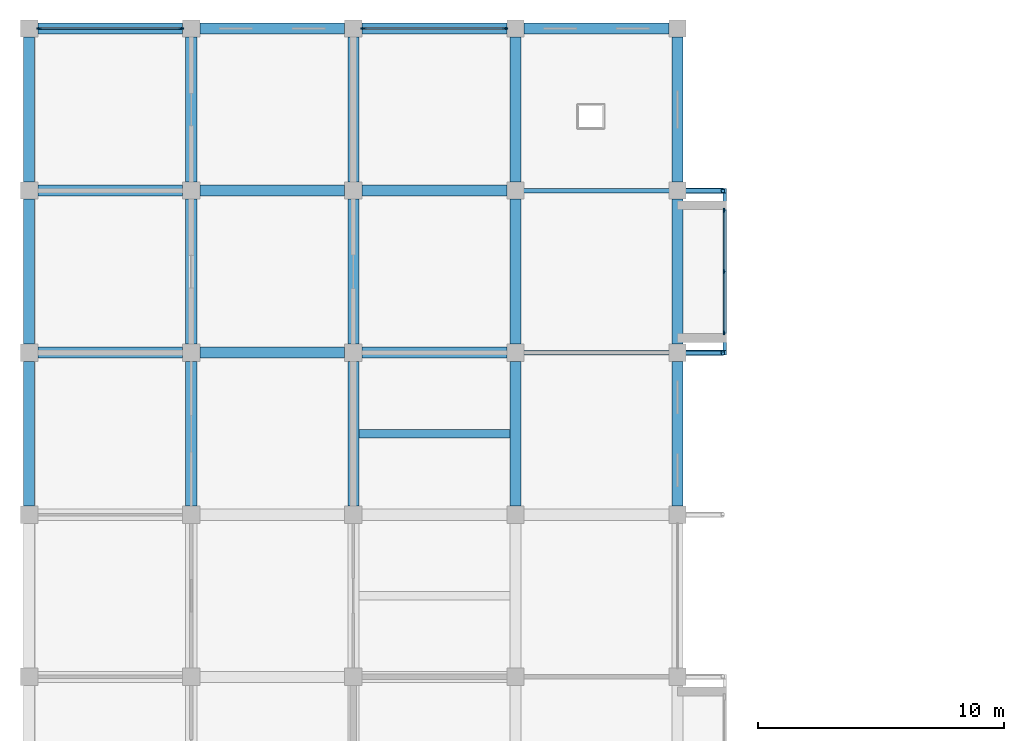
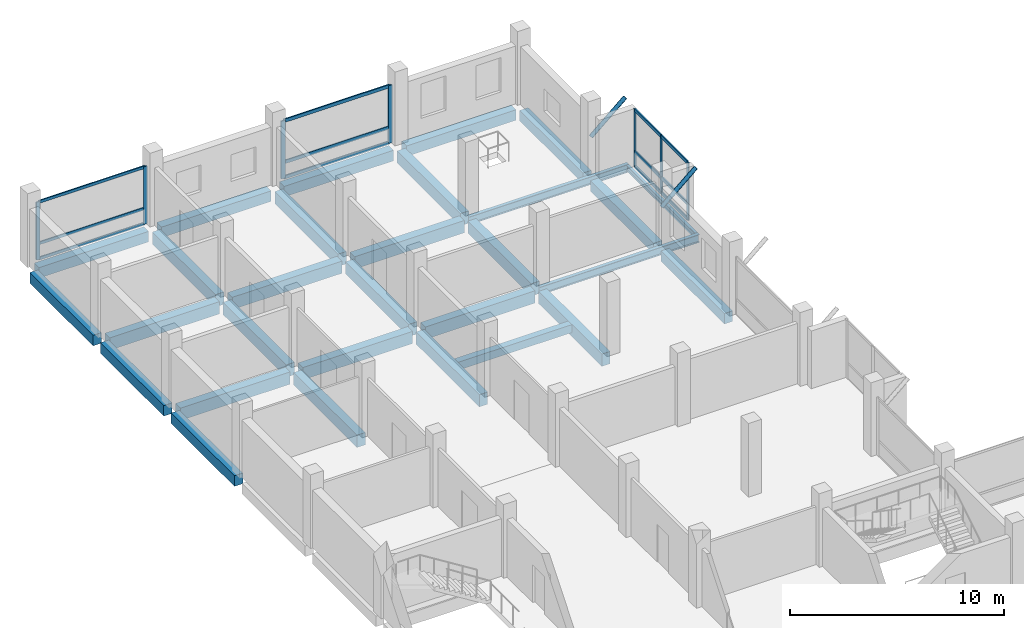
# One storey, part 5 of 11: 29 beams, 21 members, 3 elements without a shape of their own.
"""IFC4 building model written with IfcOpenShell, lengths in metres."""

from ifc_helpers import new_model, si_unit, direction, frame, origin, origin_2d, place, context, subcontext, project, spatial, rectangle, hollow_circle, i_section, extrude, material, material_profile, profile_set, type_object, element, aggregate, save


model = new_model("IFC4")

# Units and contexts
model_context = context("Model", 3, precision=1e-05, world=origin(), true_north=direction((0.0, 1.0)))
body_context = subcontext(model_context, "Body", "Model", "MODEL_VIEW")
ifc_project = project(units=[si_unit("LENGTHUNIT", "METRE"), si_unit("AREAUNIT", "SQUARE_METRE"), si_unit("VOLUMEUNIT", "CUBIC_METRE"), si_unit("PLANEANGLEUNIT", "RADIAN"), si_unit("MASSUNIT", "GRAM", prefix="KILO")], contexts=[model_context])

# Site, building, storey
site_placement = place(None, origin())
site = spatial("IfcSite", under=ifc_project, at=site_placement, CompositionType="ELEMENT")
building_placement = place(site_placement, origin())
building = spatial("IfcBuilding", under=site, at=building_placement, Name="Rusizi Kubbe Research Institute", CompositionType="ELEMENT")
storey_placement = place(building_placement, frame((0.0, 0.0, 39.60009765625)))
storey = spatial("IfcBuildingStorey", under=building, at=storey_placement, Name="L09", CompositionType="ELEMENT", Elevation=39.60009765625)

# Beams
ifc_material_1 = material(Name="Steel S355", Category="steel")
ifc_material_profile_1 = material_profile(ifc_material_1, i_section(OverallWidth=0.14990234375, OverallDepth=0.300048828125, WebThickness=0.007080078125, FlangeThickness=0.0107421875, at=origin_2d()), Name="IPE 300")
ifc_profile_set_1 = profile_set([ifc_material_profile_1], Name="Steel S355")
beam_type_1 = type_object("IfcBeamType", Name="BM-IPE300", PredefinedType="BEAM", material=ifc_profile_set_1)
beam_1_placement = place(storey_placement, frame((28.324951171875, 52.89501953125, -0.47021484375), z_axis=(0.0, 1.0, 0.0), x_axis=(-1.0, 0.0, 0.0)))
element("IfcBeam", 1, at=beam_1_placement, inside=storey, type_object=beam_type_1, Name="Cumba Edge Tie Beam L09-2", PredefinedType="BEAM", context=body_context, shape_type="SweptSolid", body=[
    extrude(i_section(OverallWidth=0.14990234375, OverallDepth=0.300048828125, WebThickness=0.007080078125, FlangeThickness=0.0107421875, at=origin_2d()), origin(), (0.0, 0.0, 1.0), 6.409912109375),
])
ifc_material_2 = material(Name="Steel S355", Category="steel")
ifc_material_profile_2 = material_profile(ifc_material_2, i_section(OverallWidth=0.18994140625, OverallDepth=0.449951171875, WebThickness=0.009521484375, FlangeThickness=0.0146484375, at=origin_2d()), Name="IPE 450")
ifc_profile_set_2 = profile_set([ifc_material_profile_2], Name="Steel S355")
beam_type_2 = type_object("IfcBeamType", Name="BM-IPE450", PredefinedType="BEAM", material=ifc_profile_set_2)
for number, where, z_axis, x_axis, name in (
    (2, (19.800048828125, 52.800048828125, -0.545166015625), (1.0, 0.0, 0.0), (0.0, 1.0, 0.0), "Cumba Back-Spanned Cantilever Beam L09-2S"),
    (3, (19.800048828125, 59.39990234375, -0.545166015625), (1.0, 0.0, 0.0), (0.0, 1.0, 0.0), "Cumba Back-Spanned Cantilever Beam L09-2N"),
):
    element("IfcBeam", number, at=place(storey_placement, frame(where, z_axis=z_axis, x_axis=x_axis)), inside=storey, type_object=beam_type_2, Name=name, PredefinedType="BEAM", context=body_context, shape_type="SweptSolid", body=[
        extrude(i_section(OverallWidth=0.18994140625, OverallDepth=0.449951171875, WebThickness=0.009521484375, FlangeThickness=0.0146484375, at=origin_2d()), origin(), (0.0, 0.0, 1.0), 8.599853515625),
    ])
ifc_material_3 = material(Name="Concrete C40/50", Category="concrete")
ifc_material_profile_3 = material_profile(ifc_material_3, rectangle(XDim=0.35009765625, YDim=0.449951171875, at=origin_2d()), Name="RC350x450")
ifc_profile_set_3 = profile_set([ifc_material_profile_3], Name="Concrete C40/50")
beam_type_3 = type_object("IfcBeamType", Name="BM-RC350x450", PredefinedType="JOIST", material=ifc_profile_set_3)
beam_2_placement = place(storey_placement, frame((13.425048828125, 49.5, -0.545166015625), z_axis=(1.0, 0.0, 0.0), x_axis=(0.0, 1.0, 0.0)))
element("IfcBeam", 4, at=beam_2_placement, inside=storey, type_object=beam_type_3, Name="Lab Stiffener Joist L09 (2,7)", PredefinedType="JOIST", context=body_context, shape_type="SweptSolid", body=[
    extrude(rectangle(XDim=0.35009765625, YDim=0.449951171875, at=origin_2d()), origin(), (0.0, 0.0, 1.0), 6.14990234375),
])
ifc_material_4 = material(Name="Concrete C40/50", Category="concrete")
ifc_material_profile_4 = material_profile(ifc_material_4, rectangle(XDim=0.449951171875, YDim=0.60009765625, at=origin_2d()), Name="RC450x600")
ifc_profile_set_4 = profile_set([ifc_material_profile_4], Name="Concrete C40/50")
beam_type_4 = type_object("IfcBeamType", Name="BM-RC450x600", PredefinedType="SPANDREL", material=ifc_profile_set_4)
beam_3_placement = place(storey_placement, frame((0.35009765625, 66.0, -0.6201171875), z_axis=(1.0, 0.0, 0.0), x_axis=(0.0, 1.0, 0.0)))
element("IfcBeam", 5, at=beam_3_placement, inside=storey, type_object=beam_type_4, Name="Grid Beam H L09 (0,10)", PredefinedType="SPANDREL", context=body_context, shape_type="SweptSolid", body=[
    extrude(rectangle(XDim=0.449951171875, YDim=0.60009765625, at=origin_2d()), origin(), (0.0, 0.0, 1.0), 5.89990234375),
])
beam_4_placement = place(storey_placement, frame((6.949951171875, 66.0, -0.6201171875), z_axis=(1.0, 0.0, 0.0), x_axis=(0.0, 1.0, 0.0)))
element("IfcBeam", 6, at=beam_4_placement, inside=storey, type_object=beam_type_4, Name="Grid Beam H L09 (1,10)", PredefinedType="SPANDREL", context=body_context, shape_type="SweptSolid", body=[
    extrude(rectangle(XDim=0.449951171875, YDim=0.60009765625, at=origin_2d()), origin(), (0.0, 0.0, 1.0), 5.900146484375),
])
beam_5_placement = place(storey_placement, frame((13.550048828125, 66.0, -0.6201171875), z_axis=(1.0, 0.0, 0.0), x_axis=(0.0, 1.0, 0.0)))
element("IfcBeam", 7, at=beam_5_placement, inside=storey, type_object=beam_type_4, Name="Grid Beam H L09 (2,10)", PredefinedType="SPANDREL", context=body_context, shape_type="SweptSolid", body=[
    extrude(rectangle(XDim=0.449951171875, YDim=0.60009765625, at=origin_2d()), origin(), (0.0, 0.0, 1.0), 5.89990234375),
])
beam_6_placement = place(storey_placement, frame((20.14990234375, 66.0, -0.6201171875), z_axis=(1.0, 0.0, 0.0), x_axis=(0.0, 1.0, 0.0)))
element("IfcBeam", 8, at=beam_6_placement, inside=storey, type_object=beam_type_4, Name="Grid Beam H L09 (3,10)", PredefinedType="SPANDREL", context=body_context, shape_type="SweptSolid", body=[
    extrude(rectangle(XDim=0.449951171875, YDim=0.60009765625, at=origin_2d()), origin(), (0.0, 0.0, 1.0), 5.900146484375),
])
beam_7_placement = place(storey_placement, frame((0.0, 46.550048828125, -0.6201171875), z_axis=(0.0, 1.0, 0.0), x_axis=(-1.0, 0.0, 0.0)))
element("IfcBeam", 9, at=beam_7_placement, inside=storey, type_object=beam_type_4, Name="Grid Beam V L09 (0,7)", PredefinedType="SPANDREL", context=body_context, shape_type="SweptSolid", body=[
    extrude(rectangle(XDim=0.449951171875, YDim=0.60009765625, at=origin_2d()), origin(), (0.0, 0.0, 1.0), 5.89990234375),
])
beam_8_placement = place(storey_placement, frame((0.0, 53.14990234375, -0.6201171875), z_axis=(0.0, 1.0, 0.0), x_axis=(-1.0, 0.0, 0.0)))
element("IfcBeam", 10, at=beam_8_placement, inside=storey, type_object=beam_type_4, Name="Grid Beam V L09 (0,8)", PredefinedType="SPANDREL", context=body_context, shape_type="SweptSolid", body=[
    extrude(rectangle(XDim=0.449951171875, YDim=0.60009765625, at=origin_2d()), origin(), (0.0, 0.0, 1.0), 5.900146484375),
])
for number, where, z_axis, x_axis, name in (
    (11, (0.0, 59.75, -0.6201171875), (0.0, 1.0, 0.0), (-1.0, 0.0, 0.0), "Grid Beam V L09 (0,9)"),
    (12, (26.39990234375, 46.550048828125, -0.6201171875), (0.0, 1.0, 0.0), (-1.0, 0.0, 0.0), "Grid Beam V L09 (4,7)"),
):
    element("IfcBeam", number, at=place(storey_placement, frame(where, z_axis=z_axis, x_axis=x_axis)), inside=storey, type_object=beam_type_4, Name=name, PredefinedType="SPANDREL", context=body_context, shape_type="SweptSolid", body=[
        extrude(rectangle(XDim=0.449951171875, YDim=0.60009765625, at=origin_2d()), origin(), (0.0, 0.0, 1.0), 5.89990234375),
    ])
beam_9_placement = place(storey_placement, frame((26.39990234375, 53.14990234375, -0.6201171875), z_axis=(0.0, 1.0, 0.0), x_axis=(-1.0, 0.0, 0.0)))
element("IfcBeam", 13, at=beam_9_placement, inside=storey, type_object=beam_type_4, Name="Grid Beam V L09 (4,8)", PredefinedType="SPANDREL", context=body_context, shape_type="SweptSolid", body=[
    extrude(rectangle(XDim=0.449951171875, YDim=0.60009765625, at=origin_2d()), origin(), (0.0, 0.0, 1.0), 5.900146484375),
])
beam_10_placement = place(storey_placement, frame((26.39990234375, 59.75, -0.6201171875), z_axis=(0.0, 1.0, 0.0), x_axis=(-1.0, 0.0, 0.0)))
element("IfcBeam", 14, at=beam_10_placement, inside=storey, type_object=beam_type_4, Name="Grid Beam V L09 (4,9)", PredefinedType="SPANDREL", context=body_context, shape_type="SweptSolid", body=[
    extrude(rectangle(XDim=0.449951171875, YDim=0.60009765625, at=origin_2d()), origin(), (0.0, 0.0, 1.0), 5.89990234375),
])
ifc_material_5 = material(Name="Concrete C40/50", Category="concrete")
ifc_material_profile_5 = material_profile(ifc_material_5, rectangle(XDim=0.449951171875, YDim=0.699951171875, at=origin_2d()), Name="RC450x700B")
ifc_profile_set_5 = profile_set([ifc_material_profile_5], Name="Concrete C40/50")
beam_type_5 = type_object("IfcBeamType", Name="BM-RC450x700", PredefinedType="BEAM", material=ifc_profile_set_5)
for number, where, z_axis, x_axis, name in (
    (15, (0.35009765625, 52.800048828125, -0.670166015625), (1.0, 0.0, 0.0), (0.0, 1.0, 0.0), "Grid Beam H L09 (0,8)"),
    (16, (0.35009765625, 59.39990234375, -0.670166015625), (1.0, 0.0, 0.0), (0.0, 1.0, 0.0), "Grid Beam H L09 (0,9)"),
):
    element("IfcBeam", number, at=place(storey_placement, frame(where, z_axis=z_axis, x_axis=x_axis)), inside=storey, type_object=beam_type_5, Name=name, PredefinedType="BEAM", context=body_context, shape_type="SweptSolid", body=[
        extrude(rectangle(XDim=0.449951171875, YDim=0.699951171875, at=origin_2d()), origin(), (0.0, 0.0, 1.0), 5.89990234375),
    ])
for number, where, z_axis, x_axis, name in (
    (17, (6.949951171875, 52.800048828125, -0.670166015625), (1.0, 0.0, 0.0), (0.0, 1.0, 0.0), "Grid Beam H L09 (1,8)"),
    (18, (6.949951171875, 59.39990234375, -0.670166015625), (1.0, 0.0, 0.0), (0.0, 1.0, 0.0), "Grid Beam H L09 (1,9)"),
):
    element("IfcBeam", number, at=place(storey_placement, frame(where, z_axis=z_axis, x_axis=x_axis)), inside=storey, type_object=beam_type_5, Name=name, PredefinedType="BEAM", context=body_context, shape_type="SweptSolid", body=[
        extrude(rectangle(XDim=0.449951171875, YDim=0.699951171875, at=origin_2d()), origin(), (0.0, 0.0, 1.0), 5.900146484375),
    ])
for number, where, z_axis, x_axis, name in (
    (19, (13.550048828125, 52.800048828125, -0.670166015625), (1.0, 0.0, 0.0), (0.0, 1.0, 0.0), "Grid Beam H L09 (2,8)"),
    (20, (13.550048828125, 59.39990234375, -0.670166015625), (1.0, 0.0, 0.0), (0.0, 1.0, 0.0), "Grid Beam H L09 (2,9)"),
    (21, (6.60009765625, 46.550048828125, -0.670166015625), (0.0, 1.0, 0.0), (-1.0, 0.0, 0.0), "Grid Beam V L09 (1,7)"),
):
    element("IfcBeam", number, at=place(storey_placement, frame(where, z_axis=z_axis, x_axis=x_axis)), inside=storey, type_object=beam_type_5, Name=name, PredefinedType="BEAM", context=body_context, shape_type="SweptSolid", body=[
        extrude(rectangle(XDim=0.449951171875, YDim=0.699951171875, at=origin_2d()), origin(), (0.0, 0.0, 1.0), 5.89990234375),
    ])
beam_11_placement = place(storey_placement, frame((6.60009765625, 53.14990234375, -0.670166015625), z_axis=(0.0, 1.0, 0.0), x_axis=(-1.0, 0.0, 0.0)))
element("IfcBeam", 22, at=beam_11_placement, inside=storey, type_object=beam_type_5, Name="Grid Beam V L09 (1,8)", PredefinedType="BEAM", context=body_context, shape_type="SweptSolid", body=[
    extrude(rectangle(XDim=0.449951171875, YDim=0.699951171875, at=origin_2d()), origin(), (0.0, 0.0, 1.0), 5.900146484375),
])
for number, where, z_axis, x_axis, name in (
    (23, (6.60009765625, 59.75, -0.670166015625), (0.0, 1.0, 0.0), (-1.0, 0.0, 0.0), "Grid Beam V L09 (1,9)"),
    (24, (13.199951171875, 46.550048828125, -0.670166015625), (0.0, 1.0, 0.0), (-1.0, 0.0, 0.0), "Grid Beam V L09 (2,7)"),
):
    element("IfcBeam", number, at=place(storey_placement, frame(where, z_axis=z_axis, x_axis=x_axis)), inside=storey, type_object=beam_type_5, Name=name, PredefinedType="BEAM", context=body_context, shape_type="SweptSolid", body=[
        extrude(rectangle(XDim=0.449951171875, YDim=0.699951171875, at=origin_2d()), origin(), (0.0, 0.0, 1.0), 5.89990234375),
    ])
beam_12_placement = place(storey_placement, frame((13.199951171875, 53.14990234375, -0.670166015625), z_axis=(0.0, 1.0, 0.0), x_axis=(-1.0, 0.0, 0.0)))
element("IfcBeam", 25, at=beam_12_placement, inside=storey, type_object=beam_type_5, Name="Grid Beam V L09 (2,8)", PredefinedType="BEAM", context=body_context, shape_type="SweptSolid", body=[
    extrude(rectangle(XDim=0.449951171875, YDim=0.699951171875, at=origin_2d()), origin(), (0.0, 0.0, 1.0), 5.900146484375),
])
for number, where, z_axis, x_axis, name in (
    (26, (13.199951171875, 59.75, -0.670166015625), (0.0, 1.0, 0.0), (-1.0, 0.0, 0.0), "Grid Beam V L09 (2,9)"),
    (27, (19.800048828125, 46.550048828125, -0.670166015625), (0.0, 1.0, 0.0), (-1.0, 0.0, 0.0), "Grid Beam V L09 (3,7)"),
):
    element("IfcBeam", number, at=place(storey_placement, frame(where, z_axis=z_axis, x_axis=x_axis)), inside=storey, type_object=beam_type_5, Name=name, PredefinedType="BEAM", context=body_context, shape_type="SweptSolid", body=[
        extrude(rectangle(XDim=0.449951171875, YDim=0.699951171875, at=origin_2d()), origin(), (0.0, 0.0, 1.0), 5.89990234375),
    ])
beam_13_placement = place(storey_placement, frame((19.800048828125, 53.14990234375, -0.670166015625), z_axis=(0.0, 1.0, 0.0), x_axis=(-1.0, 0.0, 0.0)))
element("IfcBeam", 28, at=beam_13_placement, inside=storey, type_object=beam_type_5, Name="Grid Beam V L09 (3,8)", PredefinedType="BEAM", context=body_context, shape_type="SweptSolid", body=[
    extrude(rectangle(XDim=0.449951171875, YDim=0.699951171875, at=origin_2d()), origin(), (0.0, 0.0, 1.0), 5.900146484375),
])
beam_14_placement = place(storey_placement, frame((19.800048828125, 59.75, -0.670166015625), z_axis=(0.0, 1.0, 0.0), x_axis=(-1.0, 0.0, 0.0)))
element("IfcBeam", 29, at=beam_14_placement, inside=storey, type_object=beam_type_5, Name="Grid Beam V L09 (3,9)", PredefinedType="BEAM", context=body_context, shape_type="SweptSolid", body=[
    extrude(rectangle(XDim=0.449951171875, YDim=0.699951171875, at=origin_2d()), origin(), (0.0, 0.0, 1.0), 5.89990234375),
])

# Members
ifc_material_6 = material(Name="Steel S355", Category="steel")
ifc_material_profile_6 = material_profile(ifc_material_6, hollow_circle(Radius=0.109619140625, WallThickness=0.008056640625, at=origin_2d()), Name="CHS 219.1x8.0")
ifc_profile_set_6 = profile_set([ifc_material_profile_6], Name="Steel S355")
member_type_1 = type_object("IfcMemberType", Name="MB-CHS219", PredefinedType="BRACE", material=ifc_profile_set_6)
for number, where, z_axis, x_axis, name in (
    (30, (26.39990234375, 52.800048828125, 1.889892578125), (0.756360503059, 0.0, 0.654155019405), (0.0, 1.0, 0.0), "Cumba Diagonal Corbel Brace L10-2N"),
    (31, (26.39990234375, 59.39990234375, 1.889892578125), (0.756360503059, 0.0, 0.654155019405), (0.0, 1.0, 0.0), "Cumba Diagonal Corbel Brace L10-3N"),
):
    element("IfcMember", number, at=place(storey_placement, frame(where, z_axis=z_axis, x_axis=x_axis)), inside=storey, type_object=member_type_1, Name=name, PredefinedType="BRACE", context=body_context, shape_type="SweptSolid", body=[
        extrude(hollow_circle(Radius=0.109619140625, WallThickness=0.008056640625, at=origin_2d()), origin(), (0.0, 0.0, 1.0), 2.446044921875),
    ])

# Curtain wall, members
ifc_material_7 = material(Name="Thermally Broken Aluminium and Low-E Glazing", Category="aluminium")
curtain_wall_type_1 = type_object("IfcCurtainWallType", Name="CW-04", PredefinedType="NOTDEFINED", material=ifc_material_7)
curtain_wall_1_placement = place(storey_placement, origin())
curtain_wall_1 = element("IfcCurtainWall", 32, at=curtain_wall_1_placement, inside=storey, type_object=curtain_wall_type_1, Name="Cumba Glazed Curtain Wall CW-CUMBA-L09-103", PredefinedType="NOTDEFINED")
ifc_material_8 = material(Name="Aluminium Alloy 6063-T6", Category="aluminium")
ifc_material_profile_7 = material_profile(ifc_material_8, rectangle(XDim=0.06005859375, YDim=0.179931640625, at=origin_2d()), Name="ALU-M 60x180")
ifc_profile_set_7 = profile_set([ifc_material_profile_7], Name="Aluminium Alloy 6063-T6")
member_type_2 = type_object("IfcMemberType", Name="ML-02", PredefinedType="MULLION", material=ifc_profile_set_7)
member_1_placement = place(storey_placement, frame((28.300048828125, 53.612548828125, 0.0), z_axis=(0.0, 0.0, 1.0), x_axis=(-1.0, 0.0, 0.0)))
member_1 = element("IfcMember", 33, at=member_1_placement, type_object=member_type_2, Name="CW-04 mullion 1", PredefinedType="MULLION", context=body_context, shape_type="SweptSolid", body=[
    extrude(rectangle(XDim=0.06005859375, YDim=0.179931640625, at=origin_2d()), origin(), (0.0, 0.0, 1.0), 3.289794921875),
])
member_2_placement = place(storey_placement, frame((28.300048828125, 56.10009765625, 0.0), z_axis=(0.0, 0.0, 1.0), x_axis=(-1.0, 0.0, 0.0)))
member_2 = element("IfcMember", 34, at=member_2_placement, type_object=member_type_2, Name="CW-04 mullion 2", PredefinedType="MULLION", context=body_context, shape_type="SweptSolid", body=[
    extrude(rectangle(XDim=0.06005859375, YDim=0.179931640625, at=origin_2d()), origin(), (0.0, 0.0, 1.0), 3.289794921875),
])
member_3_placement = place(storey_placement, frame((28.300048828125, 58.58740234375, 0.0), z_axis=(0.0, 0.0, 1.0), x_axis=(-1.0, 0.0, 0.0)))
member_3 = element("IfcMember", 35, at=member_3_placement, type_object=member_type_2, Name="CW-04 mullion 3", PredefinedType="MULLION", context=body_context, shape_type="SweptSolid", body=[
    extrude(rectangle(XDim=0.06005859375, YDim=0.179931640625, at=origin_2d()), origin(), (0.0, 0.0, 1.0), 3.289794921875),
])

ifc_material_9 = material(Name="Thermally Broken Aluminium and Low-E Glazing", Category="aluminium")
curtain_wall_type_2 = type_object("IfcCurtainWallType", Name="CW-12", PredefinedType="NOTDEFINED", material=ifc_material_9)
curtain_wall_2_placement = place(storey_placement, origin())
curtain_wall_2 = element("IfcCurtainWall", 36, at=curtain_wall_2_placement, inside=storey, type_object=curtain_wall_type_2, Name="Unitised Facade Curtain Wall CW-L09-H-00-10", PredefinedType="NOTDEFINED")
ifc_material_10 = material(Name="Aluminium Alloy 6063-T6", Category="aluminium")
ifc_material_profile_8 = material_profile(ifc_material_10, rectangle(XDim=0.06494140625, YDim=0.199951171875, at=origin_2d()), Name="ALU-M 65x200")
ifc_profile_set_8 = profile_set([ifc_material_profile_8], Name="Aluminium Alloy 6063-T6")
member_type_3 = type_object("IfcMemberType", Name="ML-03", PredefinedType="MULLION", material=ifc_profile_set_8)
member_4_placement = place(storey_placement, frame((0.41259765625, 66.0, 0.0), z_axis=(0.0, 0.0, 1.0), x_axis=(0.0, 1.0, 0.0)))
member_4 = element("IfcMember", 37, at=member_4_placement, type_object=member_type_3, Name="CW-12 mullion 1", PredefinedType="MULLION", context=body_context, shape_type="SweptSolid", body=[
    extrude(rectangle(XDim=0.06494140625, YDim=0.199951171875, at=origin_2d()), origin(), (0.0, 0.0, 1.0), 3.289794921875),
])
member_5_placement = place(storey_placement, frame((6.1875, 66.0, 0.0), z_axis=(0.0, 0.0, 1.0), x_axis=(0.0, 1.0, 0.0)))
member_5 = element("IfcMember", 38, at=member_5_placement, type_object=member_type_3, Name="CW-12 mullion 2", PredefinedType="MULLION", context=body_context, shape_type="SweptSolid", body=[
    extrude(rectangle(XDim=0.06494140625, YDim=0.199951171875, at=origin_2d()), origin(), (0.0, 0.0, 1.0), 3.289794921875),
])

ifc_material_11 = material(Name="Thermally Broken Aluminium and Low-E Glazing", Category="aluminium")
curtain_wall_type_3 = type_object("IfcCurtainWallType", Name="CW-13", PredefinedType="NOTDEFINED", material=ifc_material_11)
curtain_wall_3_placement = place(storey_placement, origin())
curtain_wall_3 = element("IfcCurtainWall", 39, at=curtain_wall_3_placement, inside=storey, type_object=curtain_wall_type_3, Name="Unitised Facade Curtain Wall CW-L09-H-02-10", PredefinedType="NOTDEFINED")
ifc_material_12 = material(Name="Aluminium Alloy 6063-T6", Category="aluminium")
ifc_material_profile_9 = material_profile(ifc_material_12, rectangle(XDim=0.070068359375, YDim=0.219970703125, at=origin_2d()), Name="ALU-M 70x220")
ifc_profile_set_9 = profile_set([ifc_material_profile_9], Name="Aluminium Alloy 6063-T6")
member_type_4 = type_object("IfcMemberType", Name="ML-04", PredefinedType="MULLION", material=ifc_profile_set_9)
member_6_placement = place(storey_placement, frame((13.614990234375, 66.0, 0.0), z_axis=(0.0, 0.0, 1.0), x_axis=(0.0, 1.0, 0.0)))
member_6 = element("IfcMember", 40, at=member_6_placement, type_object=member_type_4, Name="CW-13 mullion 1", PredefinedType="MULLION", context=body_context, shape_type="SweptSolid", body=[
    extrude(rectangle(XDim=0.070068359375, YDim=0.219970703125, at=origin_2d()), origin(), (0.0, 0.0, 1.0), 3.289794921875),
])
member_7_placement = place(storey_placement, frame((19.385009765625, 66.0, 0.0), z_axis=(0.0, 0.0, 1.0), x_axis=(0.0, 1.0, 0.0)))
member_7 = element("IfcMember", 41, at=member_7_placement, type_object=member_type_4, Name="CW-13 mullion 2", PredefinedType="MULLION", context=body_context, shape_type="SweptSolid", body=[
    extrude(rectangle(XDim=0.070068359375, YDim=0.219970703125, at=origin_2d()), origin(), (0.0, 0.0, 1.0), 3.289794921875),
])

# Member
ifc_material_13 = material(Name="Aluminium Alloy 6063-T6", Category="aluminium")
ifc_material_profile_10 = material_profile(ifc_material_13, rectangle(XDim=0.06494140625, YDim=0.159912109375, at=origin_2d()), Name="ALU-T 65x160")
ifc_profile_set_10 = profile_set([ifc_material_profile_10], Name="Aluminium Alloy 6063-T6")
member_type_5 = type_object("IfcMemberType", Name="TR-03", PredefinedType="USERDEFINED", material=ifc_profile_set_10)
member_8_placement = place(storey_placement, frame((0.445068359375, 66.0, 0.032470703125), z_axis=(1.0, 0.0, 0.0), x_axis=(0.0, 1.0, 0.0)))
member_8 = element("IfcMember", 42, at=member_8_placement, type_object=member_type_5, Name="CW-12 transom 1.1", ObjectType="TRANSOM", PredefinedType="USERDEFINED", context=body_context, shape_type="SweptSolid", body=[
    extrude(rectangle(XDim=0.06494140625, YDim=0.159912109375, at=origin_2d()), origin(), (0.0, 0.0, 1.0), 5.7099609375),
])

member_9_placement = place(storey_placement, frame((0.445068359375, 66.0, 0.89990234375), z_axis=(1.0, 0.0, 0.0), x_axis=(0.0, 1.0, 0.0)))
member_9 = element("IfcMember", 43, at=member_9_placement, type_object=member_type_5, Name="CW-12 transom 1.2", ObjectType="TRANSOM", PredefinedType="USERDEFINED", context=body_context, shape_type="SweptSolid", body=[
    extrude(rectangle(XDim=0.06494140625, YDim=0.159912109375, at=origin_2d()), origin(), (0.0, 0.0, 1.0), 5.7099609375),
])

member_10_placement = place(storey_placement, frame((0.445068359375, 66.0, 3.25732421875), z_axis=(1.0, 0.0, 0.0), x_axis=(0.0, 1.0, 0.0)))
member_10 = element("IfcMember", 44, at=member_10_placement, type_object=member_type_5, Name="CW-12 transom 1.3", ObjectType="TRANSOM", PredefinedType="USERDEFINED", context=body_context, shape_type="SweptSolid", body=[
    extrude(rectangle(XDim=0.06494140625, YDim=0.159912109375, at=origin_2d()), origin(), (0.0, 0.0, 1.0), 5.7099609375),
])

aggregate(curtain_wall_2, [member_4, member_5, member_8, member_9, member_10])

ifc_material_14 = material(Name="Aluminium Alloy 6063-T6", Category="aluminium")
ifc_material_profile_11 = material_profile(ifc_material_14, rectangle(XDim=0.070068359375, YDim=0.18994140625, at=origin_2d()), Name="ALU-T 70x190")
ifc_profile_set_11 = profile_set([ifc_material_profile_11], Name="Aluminium Alloy 6063-T6")
member_type_6 = type_object("IfcMemberType", Name="TR-04", PredefinedType="USERDEFINED", material=ifc_profile_set_11)
member_11_placement = place(storey_placement, frame((13.64990234375, 66.0, 0.034912109375), z_axis=(1.0, 0.0, 0.0), x_axis=(0.0, 1.0, 0.0)))
member_11 = element("IfcMember", 45, at=member_11_placement, type_object=member_type_6, Name="CW-13 transom 1.1", ObjectType="TRANSOM", PredefinedType="USERDEFINED", context=body_context, shape_type="SweptSolid", body=[
    extrude(rectangle(XDim=0.070068359375, YDim=0.18994140625, at=origin_2d()), origin(), (0.0, 0.0, 1.0), 5.7001953125),
])

member_12_placement = place(storey_placement, frame((13.64990234375, 66.0, 0.89990234375), z_axis=(1.0, 0.0, 0.0), x_axis=(0.0, 1.0, 0.0)))
member_12 = element("IfcMember", 46, at=member_12_placement, type_object=member_type_6, Name="CW-13 transom 1.2", ObjectType="TRANSOM", PredefinedType="USERDEFINED", context=body_context, shape_type="SweptSolid", body=[
    extrude(rectangle(XDim=0.070068359375, YDim=0.18994140625, at=origin_2d()), origin(), (0.0, 0.0, 1.0), 5.7001953125),
])

member_13_placement = place(storey_placement, frame((13.64990234375, 66.0, 3.2548828125), z_axis=(1.0, 0.0, 0.0), x_axis=(0.0, 1.0, 0.0)))
member_13 = element("IfcMember", 47, at=member_13_placement, type_object=member_type_6, Name="CW-13 transom 1.3", ObjectType="TRANSOM", PredefinedType="USERDEFINED", context=body_context, shape_type="SweptSolid", body=[
    extrude(rectangle(XDim=0.070068359375, YDim=0.18994140625, at=origin_2d()), origin(), (0.0, 0.0, 1.0), 5.7001953125),
])

aggregate(curtain_wall_3, [member_6, member_7, member_11, member_12, member_13])

member_14_placement = place(storey_placement, frame((28.300048828125, 53.642578125, 0.034912109375), z_axis=(0.0, 1.0, 0.0), x_axis=(-1.0, 0.0, 0.0)))
member_14 = element("IfcMember", 48, at=member_14_placement, type_object=member_type_6, Name="CW-04 transom 1.1", ObjectType="TRANSOM", PredefinedType="USERDEFINED", context=body_context, shape_type="SweptSolid", body=[
    extrude(rectangle(XDim=0.070068359375, YDim=0.18994140625, at=origin_2d()), origin(), (0.0, 0.0, 1.0), 2.427490234375),
])

member_15_placement = place(storey_placement, frame((28.300048828125, 53.642578125, 0.89990234375), z_axis=(0.0, 1.0, 0.0), x_axis=(-1.0, 0.0, 0.0)))
member_15 = element("IfcMember", 49, at=member_15_placement, type_object=member_type_6, Name="CW-04 transom 1.2", ObjectType="TRANSOM", PredefinedType="USERDEFINED", context=body_context, shape_type="SweptSolid", body=[
    extrude(rectangle(XDim=0.070068359375, YDim=0.18994140625, at=origin_2d()), origin(), (0.0, 0.0, 1.0), 2.427490234375),
])

member_16_placement = place(storey_placement, frame((28.300048828125, 53.642578125, 3.2548828125), z_axis=(0.0, 1.0, 0.0), x_axis=(-1.0, 0.0, 0.0)))
member_16 = element("IfcMember", 50, at=member_16_placement, type_object=member_type_6, Name="CW-04 transom 1.3", ObjectType="TRANSOM", PredefinedType="USERDEFINED", context=body_context, shape_type="SweptSolid", body=[
    extrude(rectangle(XDim=0.070068359375, YDim=0.18994140625, at=origin_2d()), origin(), (0.0, 0.0, 1.0), 2.427490234375),
])

member_17_placement = place(storey_placement, frame((28.300048828125, 56.1298828125, 0.034912109375), z_axis=(0.0, 1.0, 0.0), x_axis=(-1.0, 0.0, 0.0)))
member_17 = element("IfcMember", 51, at=member_17_placement, type_object=member_type_6, Name="CW-04 transom 2.1", ObjectType="TRANSOM", PredefinedType="USERDEFINED", context=body_context, shape_type="SweptSolid", body=[
    extrude(rectangle(XDim=0.070068359375, YDim=0.18994140625, at=origin_2d()), origin(), (0.0, 0.0, 1.0), 2.427734375),
])

member_18_placement = place(storey_placement, frame((28.300048828125, 56.1298828125, 0.89990234375), z_axis=(0.0, 1.0, 0.0), x_axis=(-1.0, 0.0, 0.0)))
member_18 = element("IfcMember", 52, at=member_18_placement, type_object=member_type_6, Name="CW-04 transom 2.2", ObjectType="TRANSOM", PredefinedType="USERDEFINED", context=body_context, shape_type="SweptSolid", body=[
    extrude(rectangle(XDim=0.070068359375, YDim=0.18994140625, at=origin_2d()), origin(), (0.0, 0.0, 1.0), 2.427734375),
])

member_19_placement = place(storey_placement, frame((28.300048828125, 56.1298828125, 3.2548828125), z_axis=(0.0, 1.0, 0.0), x_axis=(-1.0, 0.0, 0.0)))
member_19 = element("IfcMember", 53, at=member_19_placement, type_object=member_type_6, Name="CW-04 transom 2.3", ObjectType="TRANSOM", PredefinedType="USERDEFINED", context=body_context, shape_type="SweptSolid", body=[
    extrude(rectangle(XDim=0.070068359375, YDim=0.18994140625, at=origin_2d()), origin(), (0.0, 0.0, 1.0), 2.427734375),
])

aggregate(curtain_wall_1, [member_1, member_2, member_3, member_14, member_15, member_16, member_17, member_18, member_19])

save(model, "model.ifc")
